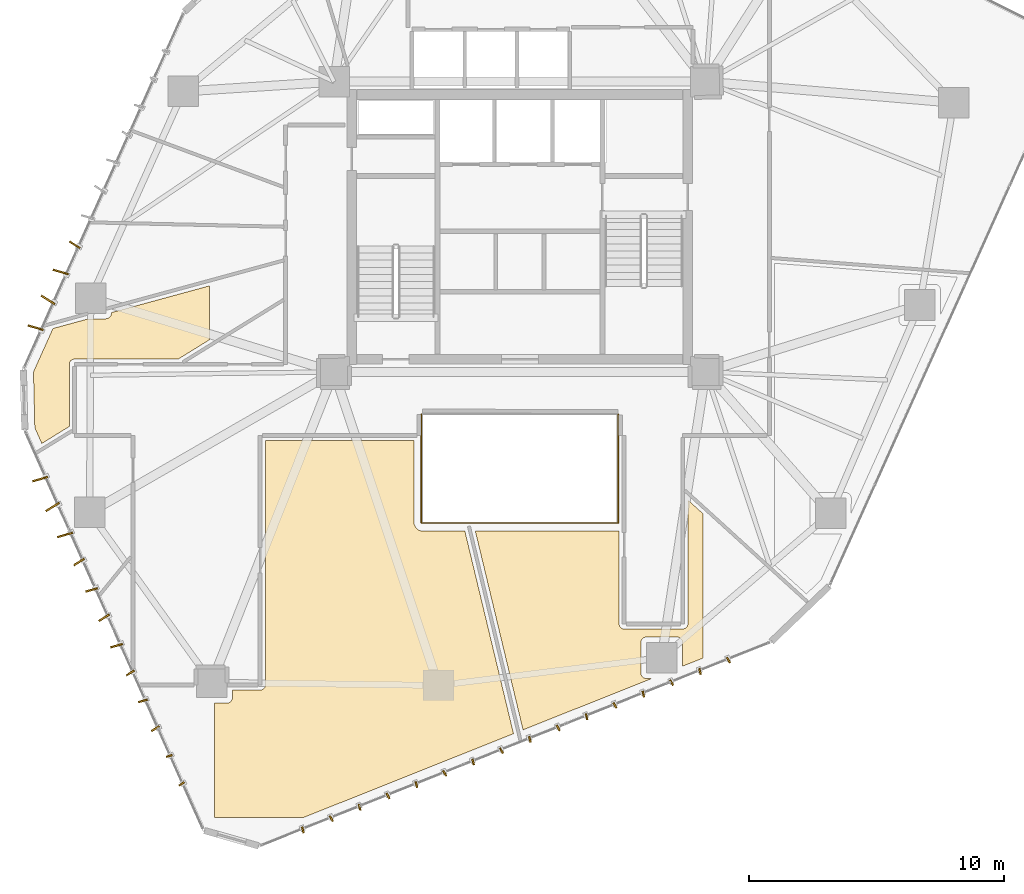
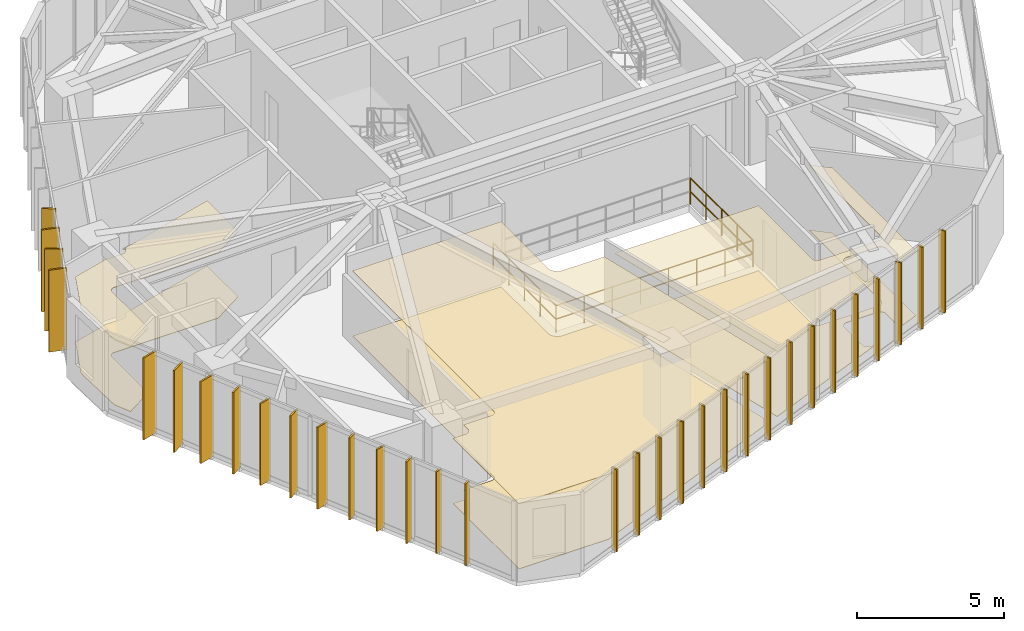
# One storey, part 20 of 22: 32 shading devices, 6 coverings, 3 railings.
"""IFC4 building model written with IfcOpenShell, lengths in metres."""

from ifc_helpers import new_model, si_unit, direction, frame, origin, origin_2d, place, context, subcontext, project, spatial, polyline, rectangle, circle, outline, extrude, source, transform, mapped, material, layer, layer_set, type_object, type_shapes, element, save


model = new_model("IFC4")

# Units and contexts
model_context = context("Model", 3, precision=1e-05, world=origin(), true_north=direction((0.0, 1.0)))
body_context = subcontext(model_context, "Body", "Model", "MODEL_VIEW")
ifc_project = project(units=[si_unit("LENGTHUNIT", "METRE"), si_unit("AREAUNIT", "SQUARE_METRE"), si_unit("VOLUMEUNIT", "CUBIC_METRE"), si_unit("PLANEANGLEUNIT", "RADIAN"), si_unit("MASSUNIT", "GRAM", prefix="KILO")], contexts=[model_context])

# Site, building, storey
site_placement = place(None, origin())
site = spatial("IfcSite", under=ifc_project, at=site_placement, CompositionType="ELEMENT")
building_placement = place(site_placement, origin())
building = spatial("IfcBuilding", under=site, at=building_placement, Name="Talar Marvaseh", CompositionType="ELEMENT")
storey_placement = place(building_placement, frame((0.0, 0.0, 154.199951171875)))
storey = spatial("IfcBuildingStorey", under=building, at=storey_placement, Name="L40", CompositionType="ELEMENT", Elevation=154.199951171875)

# Railings
ifc_material_1 = material(Name="Tempered Clear Glass", Category="glass")
railing_type = type_object("IfcRailingType", Name="Interior Atrium Edge Balustrade 1120", PredefinedType="BALUSTRADE", material=ifc_material_1)
railing_1_placement = place(storey_placement, frame((22.1298828125, 19.561279296875, 0.0)))
element("IfcRailing", 1, at=railing_1_placement, inside=storey, type_object=railing_type, Name="L40 Internal Daylight Atrium Balustrade 1", PredefinedType="BALUSTRADE", context=body_context, shape_type="SweptSolid", body=[
    extrude(circle(Radius=0.02392578125, at=origin_2d()), frame((0.0, 0.0, 1.09619140625), z_axis=(1.0, 0.0, 0.0), x_axis=(0.0, 1.0, 0.0)), (0.0, 0.0, 1.0), 7.740234375),
    extrude(circle(Radius=0.02392578125, at=origin_2d()), frame((0.0, 0.0, 0.5361328125), z_axis=(1.0, 0.0, 0.0), x_axis=(0.0, 1.0, 0.0)), (0.0, 0.0, 1.0), 7.740234375),
    extrude(circle(Radius=0.02099609375, at=origin_2d()), origin(), (0.0, 0.0, 1.0), 1.072021484375),
    extrude(circle(Radius=0.02099609375, at=origin_2d()), frame((1.105712890625, 0.0, 0.0)), (0.0, 0.0, 1.0), 1.072021484375),
    extrude(circle(Radius=0.02099609375, at=origin_2d()), frame((2.21142578125, 0.0, 0.0)), (0.0, 0.0, 1.0), 1.072021484375),
    extrude(circle(Radius=0.02099609375, at=origin_2d()), frame((3.317138671875, 0.0, 0.0)), (0.0, 0.0, 1.0), 1.072021484375),
    extrude(circle(Radius=0.02099609375, at=origin_2d()), frame((4.423095703125, 0.0, 0.0)), (0.0, 0.0, 1.0), 1.072021484375),
    extrude(circle(Radius=0.02099609375, at=origin_2d()), frame((5.52880859375, 0.0, 0.0)), (0.0, 0.0, 1.0), 1.072021484375),
    extrude(circle(Radius=0.02099609375, at=origin_2d()), frame((6.634521484375, 0.0, 0.0)), (0.0, 0.0, 1.0), 1.072021484375),
    extrude(circle(Radius=0.02099609375, at=origin_2d()), frame((7.740234375, 0.0, 0.0)), (0.0, 0.0, 1.0), 1.072021484375),
])
railing_2_placement = place(storey_placement, frame((29.8701171875, 19.561279296875, 0.0)))
element("IfcRailing", 2, at=railing_2_placement, inside=storey, type_object=railing_type, Name="L40 Internal Daylight Atrium Balustrade 2", PredefinedType="BALUSTRADE", context=body_context, shape_type="SweptSolid", body=[
    extrude(circle(Radius=0.02392578125, at=origin_2d()), frame((0.0, 0.0, 1.09619140625), z_axis=(0.0, 1.0, 0.0), x_axis=(-1.0, 0.0, 0.0)), (0.0, 0.0, 1.0), 4.27734375),
    extrude(circle(Radius=0.02392578125, at=origin_2d()), frame((0.0, 0.0, 0.5361328125), z_axis=(0.0, 1.0, 0.0), x_axis=(-1.0, 0.0, 0.0)), (0.0, 0.0, 1.0), 4.27734375),
    extrude(circle(Radius=0.02099609375, at=origin_2d()), origin(), (0.0, 0.0, 1.0), 1.072021484375),
    extrude(circle(Radius=0.02099609375, at=origin_2d()), frame((0.0, 1.0693359375, 0.0)), (0.0, 0.0, 1.0), 1.072021484375),
    extrude(circle(Radius=0.02099609375, at=origin_2d()), frame((0.0, 2.138671875, 0.0)), (0.0, 0.0, 1.0), 1.072021484375),
    extrude(circle(Radius=0.02099609375, at=origin_2d()), frame((0.0, 3.2080078125, 0.0)), (0.0, 0.0, 1.0), 1.072021484375),
    extrude(circle(Radius=0.02099609375, at=origin_2d()), frame((0.0, 4.27734375, 0.0)), (0.0, 0.0, 1.0), 1.072021484375),
])
railing_3_placement = place(storey_placement, frame((22.1298828125, 23.838623046875, 0.0)))
element("IfcRailing", 3, at=railing_3_placement, inside=storey, type_object=railing_type, Name="L40 Internal Daylight Atrium Balustrade 4", PredefinedType="BALUSTRADE", context=body_context, shape_type="SweptSolid", body=[
    extrude(circle(Radius=0.02392578125, at=origin_2d()), frame((0.0, 0.0, 1.09619140625), z_axis=(0.0, -1.0, 0.0), x_axis=(1.0, 0.0, 0.0)), (0.0, 0.0, 1.0), 4.27734375),
    extrude(circle(Radius=0.02392578125, at=origin_2d()), frame((0.0, 0.0, 0.5361328125), z_axis=(0.0, -1.0, 0.0), x_axis=(1.0, 0.0, 0.0)), (0.0, 0.0, 1.0), 4.27734375),
    extrude(circle(Radius=0.02099609375, at=origin_2d()), origin(), (0.0, 0.0, 1.0), 1.072021484375),
    extrude(circle(Radius=0.02099609375, at=origin_2d()), frame((0.0, -1.0693359375, 0.0)), (0.0, 0.0, 1.0), 1.072021484375),
    extrude(circle(Radius=0.02099609375, at=origin_2d()), frame((0.0, -2.138671875, 0.0)), (0.0, 0.0, 1.0), 1.072021484375),
    extrude(circle(Radius=0.02099609375, at=origin_2d()), frame((0.0, -3.2080078125, 0.0)), (0.0, 0.0, 1.0), 1.072021484375),
    extrude(circle(Radius=0.02099609375, at=origin_2d()), frame((0.0, -4.27734375, 0.0)), (0.0, 0.0, 1.0), 1.072021484375),
])

# Coverings
ifc_material_2 = material(Name="Mineral Fibre Acoustic Ceiling")
ifc_layer_1 = layer(ifc_material_2, 0.02490234375)
ifc_layer_set_1 = layer_set([ifc_layer_1], Name="Mineral Fibre Acoustic Ceiling")
covering_type_1 = type_object("IfcCoveringType", Name="Perforated Mineral Fibre Acoustic Suspended Ceiling", PredefinedType="CEILING", material=ifc_layer_set_1)
covering_1_placement = place(storey_placement, frame((0.0, 0.0, 2.699951171875)))
element("IfcCovering", 4, at=covering_1_placement, inside=storey, type_object=covering_type_1, Name="L40 Curatorial Office Acoustic Ceiling", PredefinedType="CEILING", context=body_context, shape_type="SweptSolid", body=[
    extrude(outline(polyline([(9.058837890625, 27.5869140625), (9.74267578125, 27.587646484375), (9.76220703125, 27.588623046875), (9.78173828125, 27.591552734375), (9.80078125, 27.59619140625), (9.8193359375, 27.60302734375), (9.837158203125, 27.611572265625), (9.85400390625, 27.62158203125), (9.869873046875, 27.63330078125), (9.88427734375, 27.646728515625), (9.8974609375, 27.661376953125), (9.907958984375, 27.67431640625), (9.919677734375, 27.68994140625), (9.929443359375, 27.706787109375), (9.937744140625, 27.724365234375), (9.9443359375, 27.74267578125), (9.94921875, 27.76171875), (9.951904296875, 27.781005859375), (9.952880859375, 27.80029296875), (9.952880859375, 27.83056640625), (13.800048828125, 28.8779296875), (13.800048828125, 26.7578125), (12.574951171875, 26.0), (8.5, 26.0), (8.48046875, 25.9990234375), (8.4609375, 25.99609375), (8.44189453125, 25.991455078125), (8.423583984375, 25.98486328125), (8.40576171875, 25.976318359375), (8.388916015625, 25.96630859375), (8.373046875, 25.95458984375), (8.358642578125, 25.94140625), (8.345458984375, 25.927001953125), (8.333740234375, 25.9111328125), (8.323486328125, 25.894287109375), (8.315185546875, 25.87646484375), (8.30859375, 25.858154296875), (8.3037109375, 25.839111328125), (8.301025390625, 25.819580078125), (8.300048828125, 25.800048828125), (8.300048828125, 23.355712890625), (7.220703125, 22.68798828125), (6.944580078125, 23.305419921875), (6.891845703125, 25.500244140625), (7.65771484375, 27.20556640625), (9.058837890625, 27.5869140625)])), origin(), (0.0, 0.0, 1.0), 0.025146484375),
])
covering_2_placement = place(storey_placement, frame((0.0, 0.0, 2.699951171875)))
element("IfcCovering", 5, at=covering_2_placement, inside=storey, type_object=covering_type_1, Name="L40 Archival Research Office Acoustic Ceiling", PredefinedType="CEILING", context=body_context, shape_type="SweptSolid", body=[
    extrude(outline(polyline([(14.5166015625, 12.486083984375), (14.535888671875, 12.489013671875), (14.5546875, 12.49365234375), (14.5732421875, 12.500244140625), (14.591064453125, 12.5087890625), (14.60791015625, 12.518798828125), (14.62353515625, 12.530517578125), (14.63818359375, 12.543701171875), (14.651123046875, 12.55810546875), (14.662841796875, 12.573974609375), (14.672119140625, 12.587890625), (14.682373046875, 12.6044921875), (14.690673828125, 12.622314453125), (14.697509765625, 12.640869140625), (14.7021484375, 12.659912109375), (14.705078125, 12.679443359375), (14.7060546875, 12.698974609375), (14.7060546875, 13.0), (15.800048828125, 13.0), (15.819580078125, 13.0009765625), (15.839111328125, 13.00390625), (15.858154296875, 13.008544921875), (15.87646484375, 13.01513671875), (15.894287109375, 13.023681640625), (15.9111328125, 13.03369140625), (15.927001953125, 13.04541015625), (15.94140625, 13.05859375), (15.95458984375, 13.072998046875), (15.96630859375, 13.0888671875), (15.976318359375, 13.105712890625), (15.98486328125, 13.12353515625), (15.991455078125, 13.141845703125), (15.99609375, 13.160888671875), (15.9990234375, 13.180419921875), (16.0, 13.199951171875), (16.0, 22.800048828125), (21.840087890625, 22.800048828125), (21.840087890625, 19.60009765625), (21.840576171875, 19.585205078125), (21.84228515625, 19.570556640625), (21.84912109375, 19.524169921875), (21.852783203125, 19.5048828125), (21.858642578125, 19.486083984375), (21.8662109375, 19.468017578125), (21.88623046875, 19.425537109375), (21.8955078125, 19.408203125), (21.90625, 19.39208984375), (21.918701171875, 19.376953125), (21.9501953125, 19.342041015625), (21.964111328125, 19.328125), (21.9794921875, 19.315673828125), (21.995849609375, 19.3046875), (22.0361328125, 19.280517578125), (22.053466796875, 19.271240234375), (22.071533203125, 19.263916015625), (22.090087890625, 19.25830078125), (22.1357421875, 19.246826171875), (22.159912109375, 19.2421875), (22.18408203125, 19.24072265625), (23.841552734375, 19.239990234375), (25.751220703125, 11.285888671875), (17.518798828125, 8.0), (14.0, 8.0), (14.0, 12.484619140625), (14.496826171875, 12.485107421875), (14.5166015625, 12.486083984375)])), origin(), (0.0, 0.0, 1.0), 0.025146484375),
])
covering_3_placement = place(storey_placement, frame((0.0, 0.0, 2.699951171875)))
element("IfcCovering", 6, at=covering_3_placement, inside=storey, type_object=covering_type_1, Name="L40 Scholars' Servery Pantry Acoustic Ceiling", PredefinedType="CEILING", context=body_context, shape_type="SweptSolid", body=[
    extrude(outline(polyline([(29.800048828125, 19.239990234375), (29.81640625, 19.24072265625), (29.83251953125, 19.24267578125), (29.8486328125, 19.24609375), (29.89990234375, 19.2587890625), (29.89990234375, 15.60009765625), (29.90087890625, 15.580322265625), (29.90380859375, 15.56103515625), (29.90869140625, 15.5419921875), (29.915283203125, 15.5234375), (29.923583984375, 15.505615234375), (29.93359375, 15.489013671875), (29.9453125, 15.47314453125), (29.95849609375, 15.45849609375), (29.97314453125, 15.4453125), (29.989013671875, 15.43359375), (30.005615234375, 15.423583984375), (30.0234375, 15.415283203125), (30.0419921875, 15.40869140625), (30.06103515625, 15.40380859375), (30.080322265625, 15.40087890625), (30.10009765625, 15.39990234375), (32.39990234375, 15.39990234375), (32.419677734375, 15.40087890625), (32.43896484375, 15.40380859375), (32.4580078125, 15.40869140625), (32.4765625, 15.415283203125), (32.494384765625, 15.423583984375), (32.510986328125, 15.43359375), (32.52685546875, 15.4453125), (32.54150390625, 15.45849609375), (32.5546875, 15.47314453125), (32.56640625, 15.489013671875), (32.576416015625, 15.505615234375), (32.584716796875, 15.5234375), (32.59130859375, 15.5419921875), (32.59619140625, 15.56103515625), (32.59912109375, 15.580322265625), (32.60009765625, 15.60009765625), (32.60009765625, 20.46923828125), (33.199951171875, 19.923828125), (33.199951171875, 14.259033203125), (32.381591796875, 13.932373046875), (32.385009765625, 14.868896484375), (32.384033203125, 14.887451171875), (32.381591796875, 14.90576171875), (32.377197265625, 14.924072265625), (32.371337890625, 14.941650390625), (32.364013671875, 14.958740234375), (32.35498046875, 14.974853515625), (32.34423828125, 14.990234375), (32.33251953125, 15.004638671875), (32.319091796875, 15.017578125), (32.30419921875, 15.03125), (32.2900390625, 15.04296875), (32.274658203125, 15.053466796875), (32.258544921875, 15.062255859375), (32.24169921875, 15.069580078125), (32.22412109375, 15.07568359375), (32.2060546875, 15.07958984375), (32.187744140625, 15.082275390625), (32.169189453125, 15.0830078125), (30.958740234375, 15.07861328125), (30.939208984375, 15.07763671875), (30.919921875, 15.07470703125), (30.90087890625, 15.06982421875), (30.88232421875, 15.063232421875), (30.86474609375, 15.0546875), (30.847900390625, 15.044677734375), (30.832275390625, 15.032958984375), (30.817626953125, 15.019775390625), (30.8046875, 15.005126953125), (30.79296875, 14.989501953125), (30.782958984375, 14.97265625), (30.774658203125, 14.955078125), (30.76806640625, 14.9365234375), (30.76318359375, 14.91748046875), (30.760498046875, 14.898193359375), (30.759521484375, 14.878662109375), (30.759521484375, 13.657470703125), (30.760498046875, 13.6376953125), (30.76318359375, 13.618408203125), (30.76806640625, 13.599365234375), (30.774658203125, 13.580810546875), (30.782958984375, 13.56298828125), (30.793212890625, 13.54638671875), (30.8046875, 13.530517578125), (30.818115234375, 13.51611328125), (30.83251953125, 13.502685546875), (30.848388671875, 13.4912109375), (30.864990234375, 13.48095703125), (30.8828125, 13.47265625), (30.9013671875, 13.466064453125), (30.92041015625, 13.461181640625), (30.939697265625, 13.45849609375), (30.95947265625, 13.45751953125), (31.191650390625, 13.45751953125), (26.12646484375, 11.435791015625), (24.2529296875, 19.239990234375), (29.800048828125, 19.239990234375)])), origin(), (0.0, 0.0, 1.0), 0.025146484375),
])
ifc_material_3 = material(Name="Porcelain Stoneware Tile", Category="masonry")
ifc_layer_2 = layer(ifc_material_3, 0.02001953125)
ifc_layer_set_2 = layer_set([ifc_layer_2], Name="Porcelain Stoneware Tile")
covering_type_2 = type_object("IfcCoveringType", Name="Polished Porcelain Stoneware Gallery Flooring", PredefinedType="FLOORING", material=ifc_layer_set_2)
covering_4_placement = place(storey_placement, origin())
element("IfcCovering", 7, at=covering_4_placement, inside=storey, type_object=covering_type_2, Name="L40 Curatorial Office Flooring", PredefinedType="FLOORING", context=body_context, shape_type="SweptSolid", body=[
    extrude(outline(polyline([(9.058837890625, 27.5869140625), (9.74267578125, 27.587646484375), (9.76220703125, 27.588623046875), (9.78173828125, 27.591552734375), (9.80078125, 27.59619140625), (9.8193359375, 27.60302734375), (9.837158203125, 27.611572265625), (9.85400390625, 27.62158203125), (9.869873046875, 27.63330078125), (9.88427734375, 27.646728515625), (9.8974609375, 27.661376953125), (9.907958984375, 27.67431640625), (9.919677734375, 27.68994140625), (9.929443359375, 27.706787109375), (9.937744140625, 27.724365234375), (9.9443359375, 27.74267578125), (9.94921875, 27.76171875), (9.951904296875, 27.781005859375), (9.952880859375, 27.80029296875), (9.952880859375, 27.83056640625), (13.800048828125, 28.8779296875), (13.800048828125, 26.7578125), (12.574951171875, 26.0), (8.5, 26.0), (8.48046875, 25.9990234375), (8.4609375, 25.99609375), (8.44189453125, 25.991455078125), (8.423583984375, 25.98486328125), (8.40576171875, 25.976318359375), (8.388916015625, 25.96630859375), (8.373046875, 25.95458984375), (8.358642578125, 25.94140625), (8.345458984375, 25.927001953125), (8.333740234375, 25.9111328125), (8.323486328125, 25.894287109375), (8.315185546875, 25.87646484375), (8.30859375, 25.858154296875), (8.3037109375, 25.839111328125), (8.301025390625, 25.819580078125), (8.300048828125, 25.800048828125), (8.300048828125, 23.355712890625), (7.220703125, 22.68798828125), (6.944580078125, 23.305419921875), (6.891845703125, 25.500244140625), (7.65771484375, 27.20556640625), (9.058837890625, 27.5869140625)])), origin(), (0.0, 0.0, 1.0), 0.02001953125),
])
covering_5_placement = place(storey_placement, origin())
element("IfcCovering", 8, at=covering_5_placement, inside=storey, type_object=covering_type_2, Name="L40 Archival Research Office Flooring", PredefinedType="FLOORING", context=body_context, shape_type="SweptSolid", body=[
    extrude(outline(polyline([(14.5166015625, 12.486083984375), (14.535888671875, 12.489013671875), (14.5546875, 12.49365234375), (14.5732421875, 12.500244140625), (14.591064453125, 12.5087890625), (14.60791015625, 12.518798828125), (14.62353515625, 12.530517578125), (14.63818359375, 12.543701171875), (14.651123046875, 12.55810546875), (14.662841796875, 12.573974609375), (14.672119140625, 12.587890625), (14.682373046875, 12.6044921875), (14.690673828125, 12.622314453125), (14.697509765625, 12.640869140625), (14.7021484375, 12.659912109375), (14.705078125, 12.679443359375), (14.7060546875, 12.698974609375), (14.7060546875, 13.0), (15.800048828125, 13.0), (15.819580078125, 13.0009765625), (15.839111328125, 13.00390625), (15.858154296875, 13.008544921875), (15.87646484375, 13.01513671875), (15.894287109375, 13.023681640625), (15.9111328125, 13.03369140625), (15.927001953125, 13.04541015625), (15.94140625, 13.05859375), (15.95458984375, 13.072998046875), (15.96630859375, 13.0888671875), (15.976318359375, 13.105712890625), (15.98486328125, 13.12353515625), (15.991455078125, 13.141845703125), (15.99609375, 13.160888671875), (15.9990234375, 13.180419921875), (16.0, 13.199951171875), (16.0, 22.800048828125), (21.840087890625, 22.800048828125), (21.840087890625, 19.60009765625), (21.840576171875, 19.585205078125), (21.84228515625, 19.570556640625), (21.84912109375, 19.524169921875), (21.852783203125, 19.5048828125), (21.858642578125, 19.486083984375), (21.8662109375, 19.468017578125), (21.88623046875, 19.425537109375), (21.8955078125, 19.408203125), (21.90625, 19.39208984375), (21.918701171875, 19.376953125), (21.9501953125, 19.342041015625), (21.964111328125, 19.328125), (21.9794921875, 19.315673828125), (21.995849609375, 19.3046875), (22.0361328125, 19.280517578125), (22.053466796875, 19.271240234375), (22.071533203125, 19.263916015625), (22.090087890625, 19.25830078125), (22.1357421875, 19.246826171875), (22.159912109375, 19.2421875), (22.18408203125, 19.24072265625), (23.841552734375, 19.239990234375), (25.751220703125, 11.285888671875), (17.518798828125, 8.0), (14.0, 8.0), (14.0, 12.484619140625), (14.496826171875, 12.485107421875), (14.5166015625, 12.486083984375)])), origin(), (0.0, 0.0, 1.0), 0.02001953125),
])
covering_6_placement = place(storey_placement, origin())
element("IfcCovering", 9, at=covering_6_placement, inside=storey, type_object=covering_type_2, Name="L40 Scholars' Servery Pantry Flooring", PredefinedType="FLOORING", context=body_context, shape_type="SweptSolid", body=[
    extrude(outline(polyline([(29.800048828125, 19.239990234375), (29.81640625, 19.24072265625), (29.83251953125, 19.24267578125), (29.8486328125, 19.24609375), (29.89990234375, 19.2587890625), (29.89990234375, 15.60009765625), (29.90087890625, 15.580322265625), (29.90380859375, 15.56103515625), (29.90869140625, 15.5419921875), (29.915283203125, 15.5234375), (29.923583984375, 15.505615234375), (29.93359375, 15.489013671875), (29.9453125, 15.47314453125), (29.95849609375, 15.45849609375), (29.97314453125, 15.4453125), (29.989013671875, 15.43359375), (30.005615234375, 15.423583984375), (30.0234375, 15.415283203125), (30.0419921875, 15.40869140625), (30.06103515625, 15.40380859375), (30.080322265625, 15.40087890625), (30.10009765625, 15.39990234375), (32.39990234375, 15.39990234375), (32.419677734375, 15.40087890625), (32.43896484375, 15.40380859375), (32.4580078125, 15.40869140625), (32.4765625, 15.415283203125), (32.494384765625, 15.423583984375), (32.510986328125, 15.43359375), (32.52685546875, 15.4453125), (32.54150390625, 15.45849609375), (32.5546875, 15.47314453125), (32.56640625, 15.489013671875), (32.576416015625, 15.505615234375), (32.584716796875, 15.5234375), (32.59130859375, 15.5419921875), (32.59619140625, 15.56103515625), (32.59912109375, 15.580322265625), (32.60009765625, 15.60009765625), (32.60009765625, 20.46923828125), (33.199951171875, 19.923828125), (33.199951171875, 14.259033203125), (32.381591796875, 13.932373046875), (32.385009765625, 14.868896484375), (32.384033203125, 14.887451171875), (32.381591796875, 14.90576171875), (32.377197265625, 14.924072265625), (32.371337890625, 14.941650390625), (32.364013671875, 14.958740234375), (32.35498046875, 14.974853515625), (32.34423828125, 14.990234375), (32.33251953125, 15.004638671875), (32.319091796875, 15.017578125), (32.30419921875, 15.03125), (32.2900390625, 15.04296875), (32.274658203125, 15.053466796875), (32.258544921875, 15.062255859375), (32.24169921875, 15.069580078125), (32.22412109375, 15.07568359375), (32.2060546875, 15.07958984375), (32.187744140625, 15.082275390625), (32.169189453125, 15.0830078125), (30.958740234375, 15.07861328125), (30.939208984375, 15.07763671875), (30.919921875, 15.07470703125), (30.90087890625, 15.06982421875), (30.88232421875, 15.063232421875), (30.86474609375, 15.0546875), (30.847900390625, 15.044677734375), (30.832275390625, 15.032958984375), (30.817626953125, 15.019775390625), (30.8046875, 15.005126953125), (30.79296875, 14.989501953125), (30.782958984375, 14.97265625), (30.774658203125, 14.955078125), (30.76806640625, 14.9365234375), (30.76318359375, 14.91748046875), (30.760498046875, 14.898193359375), (30.759521484375, 14.878662109375), (30.759521484375, 13.657470703125), (30.760498046875, 13.6376953125), (30.76318359375, 13.618408203125), (30.76806640625, 13.599365234375), (30.774658203125, 13.580810546875), (30.782958984375, 13.56298828125), (30.793212890625, 13.54638671875), (30.8046875, 13.530517578125), (30.818115234375, 13.51611328125), (30.83251953125, 13.502685546875), (30.848388671875, 13.4912109375), (30.864990234375, 13.48095703125), (30.8828125, 13.47265625), (30.9013671875, 13.466064453125), (30.92041015625, 13.461181640625), (30.939697265625, 13.45849609375), (30.95947265625, 13.45751953125), (31.191650390625, 13.45751953125), (26.12646484375, 11.435791015625), (24.2529296875, 19.239990234375), (29.800048828125, 19.239990234375)])), origin(), (0.0, 0.0, 1.0), 0.02001953125),
])

# Shading devices
ifc_material_4 = material(Name="Anodised Champagne Bronze Aluminium", Category="aluminium")
ifc_layer_3 = layer(ifc_material_4, 0.06494140625)
ifc_layer_set_3 = layer_set([ifc_layer_3], Name="Anodised Champagne Bronze Aluminium")
shading_device_type_1 = type_object("IfcShadingDeviceType", Name="Sawtooth Champagne Bronze Vertical Fin 240", PredefinedType="USERDEFINED", material=ifc_layer_set_3)
shared_shape_1 = source(origin(), body_context, "Body", "SweptSolid", [
    extrude(rectangle(XDim=0.239990234375, YDim=0.06494140625, at=origin_2d()), origin(), (0.0, 0.0, 1.0), 3.39990234375),
])
type_shapes(shading_device_type_1, [shared_shape_1])
for number, where, z_axis, x_axis, name in (
    (10, (12.71435546875, 9.314453125, -0.119873046875), (0.0, 0.0, 1.0), (-0.847121921382, -0.531398579518, 0.0), "L40 Sawtooth Vertical Solar Fin"),
    (11, (12.224609375, 10.409912109375, -0.119873046875), (0.0, 0.0, 1.0), (-0.960779154158, -0.277314653302, 0.0), "L40 Sawtooth Vertical Solar Fin"),
    (12, (34.194091796875, 14.1767578125, -0.119873046875), (0.0, 0.0, 1.0), (0.496368025395, -0.868112195148, 0.0), "L40 Sawtooth Vertical Solar Fin"),
    (13, (33.07958984375, 13.731689453125, -0.119873046875), (0.0, 0.0, 1.0), (0.237855419878, -0.971300571005, 0.0), "L40 Sawtooth Vertical Solar Fin"),
    (14, (31.965087890625, 13.287109375, -0.119873046875), (0.0, 0.0, 1.0), (0.496368025395, -0.868112195148, 0.0), "L40 Sawtooth Vertical Solar Fin"),
    (15, (30.8505859375, 12.842041015625, -0.119873046875), (0.0, 0.0, 1.0), (0.237855419878, -0.971300571005, 0.0), "L40 Sawtooth Vertical Solar Fin"),
    (16, (29.736083984375, 12.397216796875, -0.119873046875), (0.0, 0.0, 1.0), (0.496368025395, -0.868112195148, 0.0), "L40 Sawtooth Vertical Solar Fin"),
    (17, (28.62158203125, 11.952392578125, -0.119873046875), (0.0, 0.0, 1.0), (0.237855419878, -0.971300571005, 0.0), "L40 Sawtooth Vertical Solar Fin"),
    (18, (27.507080078125, 11.507568359375, -0.119873046875), (0.0, 0.0, 1.0), (0.496368025395, -0.868112195148, 0.0), "L40 Sawtooth Vertical Solar Fin"),
    (19, (26.392578125, 11.062744140625, -0.119873046875), (0.0, 0.0, 1.0), (0.237855419878, -0.971300571005, 0.0), "L40 Sawtooth Vertical Solar Fin"),
    (20, (25.278076171875, 10.617919921875, -0.119873046875), (0.0, 0.0, 1.0), (0.496368025395, -0.868112195148, 0.0), "L40 Sawtooth Vertical Solar Fin"),
    (21, (24.16357421875, 10.173095703125, -0.119873046875), (0.0, 0.0, 1.0), (0.237855419878, -0.971300571005, 0.0), "L40 Sawtooth Vertical Solar Fin"),
    (22, (23.049072265625, 9.728271484375, -0.119873046875), (0.0, 0.0, 1.0), (0.496368025395, -0.868112195148, 0.0), "L40 Sawtooth Vertical Solar Fin"),
    (23, (21.9345703125, 9.283447265625, -0.119873046875), (0.0, 0.0, 1.0), (0.237855419878, -0.971300571005, 0.0), "L40 Sawtooth Vertical Solar Fin"),
    (24, (20.820068359375, 8.83837890625, -0.119873046875), (0.0, 0.0, 1.0), (0.496368025395, -0.868112195148, 0.0), "L40 Sawtooth Vertical Solar Fin"),
    (25, (19.70556640625, 8.393798828125, -0.119873046875), (0.0, 0.0, 1.0), (0.237855419878, -0.971300571005, 0.0), "L40 Sawtooth Vertical Solar Fin"),
    (26, (18.591064453125, 7.948974609375, -0.119873046875), (0.0, 0.0, 1.0), (0.496368025395, -0.868112195148, 0.0), "L40 Sawtooth Vertical Solar Fin"),
    (27, (17.4765625, 7.50390625, -0.119873046875), (0.0, 0.0, 1.0), (0.237855419878, -0.971300571005, 0.0), "L40 Sawtooth Vertical Solar Fin"),
):
    element("IfcShadingDevice", number, at=place(storey_placement, frame(where, z_axis=z_axis, x_axis=x_axis)), inside=storey, type_object=shading_device_type_1, Name=name, ObjectType="FIN", PredefinedType="USERDEFINED", context=body_context, shape_type="MappedRepresentation", body=[
        mapped(shared_shape_1, transform((0.0, 0.0, 0.0), x_axis=(1.0, 0.0, 0.0), y_axis=(0.0, 1.0, 0.0), z_axis=(0.0, 0.0, 1.0), scale=1.0)),
    ])
ifc_layer_4 = layer(ifc_material_4, 0.06494140625)
ifc_layer_set_4 = layer_set([ifc_layer_4], Name="Anodised Champagne Bronze Aluminium")
shading_device_type_2 = type_object("IfcShadingDeviceType", Name="Sawtooth Champagne Bronze Vertical Fin 360", PredefinedType="USERDEFINED", material=ifc_layer_set_4)
shared_shape_2 = source(origin(), body_context, "Body", "SweptSolid", [
    extrude(rectangle(XDim=0.360107421875, YDim=0.06494140625, at=origin_2d()), origin(), (0.0, 0.0, 1.0), 3.39990234375),
])
type_shapes(shading_device_type_2, [shared_shape_2])
for number, where, z_axis, x_axis, name in (
    (28, (11.6796875, 11.48095703125, -0.119873046875), (0.0, 0.0, 1.0), (-0.847121921382, -0.531398579518, 0.0), "L40 Sawtooth Vertical Solar Fin"),
    (29, (11.18994140625, 12.576416015625, -0.119873046875), (0.0, 0.0, 1.0), (-0.960779154158, -0.277314653302, 0.0), "L40 Sawtooth Vertical Solar Fin"),
    (30, (10.699951171875, 13.671630859375, -0.119873046875), (0.0, 0.0, 1.0), (-0.847121921382, -0.531398579518, 0.0), "L40 Sawtooth Vertical Solar Fin"),
):
    element("IfcShadingDevice", number, at=place(storey_placement, frame(where, z_axis=z_axis, x_axis=x_axis)), inside=storey, type_object=shading_device_type_2, Name=name, ObjectType="FIN", PredefinedType="USERDEFINED", context=body_context, shape_type="MappedRepresentation", body=[
        mapped(shared_shape_2, transform((0.0, 0.0, 0.0), x_axis=(1.0, 0.0, 0.0), y_axis=(0.0, 1.0, 0.0), z_axis=(0.0, 0.0, 1.0), scale=1.0)),
    ])
ifc_layer_5 = layer(ifc_material_4, 0.06494140625)
ifc_layer_set_5 = layer_set([ifc_layer_5], Name="Anodised Champagne Bronze Aluminium")
shading_device_type_3 = type_object("IfcShadingDeviceType", Name="Sawtooth Champagne Bronze Vertical Fin 480", PredefinedType="USERDEFINED", material=ifc_layer_set_5)
shared_shape_3 = source(origin(), body_context, "Body", "SweptSolid", [
    extrude(rectangle(XDim=0.47998046875, YDim=0.06494140625, at=origin_2d()), origin(), (0.0, 0.0, 1.0), 3.39990234375),
])
type_shapes(shading_device_type_3, [shared_shape_3])
for number, where, z_axis, x_axis, name in (
    (31, (10.1552734375, 14.74267578125, -0.119873046875), (0.0, 0.0, 1.0), (-0.960779154158, -0.277314653302, 0.0), "L40 Sawtooth Vertical Solar Fin"),
    (32, (9.665283203125, 15.838134765625, -0.119873046875), (0.0, 0.0, 1.0), (-0.847121921382, -0.531398579518, 0.0), "L40 Sawtooth Vertical Solar Fin"),
    (33, (9.17529296875, 16.93359375, -0.119873046875), (0.0, 0.0, 1.0), (-0.960779154158, -0.277314653302, 0.0), "L40 Sawtooth Vertical Solar Fin"),
    (34, (8.685546875, 18.029052734375, -0.119873046875), (0.0, 0.0, 1.0), (-0.847121921382, -0.531398579518, 0.0), "L40 Sawtooth Vertical Solar Fin"),
    (35, (8.513916015625, 30.49169921875, -0.119873046875), (0.0, 0.0, 1.0), (-0.846379123481, 0.532580866475, 0.0), "L40 Sawtooth Vertical Solar Fin"),
):
    element("IfcShadingDevice", number, at=place(storey_placement, frame(where, z_axis=z_axis, x_axis=x_axis)), inside=storey, type_object=shading_device_type_3, Name=name, ObjectType="FIN", PredefinedType="USERDEFINED", context=body_context, shape_type="MappedRepresentation", body=[
        mapped(shared_shape_3, transform((0.0, 0.0, 0.0), x_axis=(1.0, 0.0, 0.0), y_axis=(0.0, 1.0, 0.0), z_axis=(0.0, 0.0, 1.0), scale=1.0)),
    ])
ifc_layer_6 = layer(ifc_material_4, 0.06494140625)
ifc_layer_set_6 = layer_set([ifc_layer_6], Name="Anodised Champagne Bronze Aluminium")
shading_device_type_4 = type_object("IfcShadingDeviceType", Name="Sawtooth Champagne Bronze Vertical Fin 620", PredefinedType="USERDEFINED", material=ifc_layer_set_6)
shared_shape_4 = source(origin(), body_context, "Body", "SweptSolid", [
    extrude(rectangle(XDim=0.6201171875, YDim=0.06494140625, at=origin_2d()), origin(), (0.0, 0.0, 1.0), 3.39990234375),
])
type_shapes(shading_device_type_4, [shared_shape_4])
for number, where, z_axis, x_axis, name in (
    (36, (8.131591796875, 19.095703125, -0.119873046875), (0.0, 0.0, 1.0), (-0.960779154158, -0.277314653302, 0.0), "L40 Sawtooth Vertical Solar Fin"),
    (37, (7.6416015625, 20.19140625, -0.119873046875), (0.0, 0.0, 1.0), (-0.847121921382, -0.531398579518, 0.0), "L40 Sawtooth Vertical Solar Fin"),
    (38, (7.15185546875, 21.28662109375, -0.119873046875), (0.0, 0.0, 1.0), (-0.960779154158, -0.277314653302, 0.0), "L40 Sawtooth Vertical Solar Fin"),
    (39, (6.975341796875, 27.236328125, -0.119873046875), (0.0, 0.0, 1.0), (-0.960391013438, 0.278655883317, 0.0), "L40 Sawtooth Vertical Solar Fin"),
    (40, (7.466796875, 28.3310546875, -0.119873046875), (0.0, 0.0, 1.0), (-0.846379123481, 0.532580866475, 0.0), "L40 Sawtooth Vertical Solar Fin"),
    (41, (7.95849609375, 29.42578125, -0.119873046875), (0.0, 0.0, 1.0), (-0.960391013438, 0.278655883317, 0.0), "L40 Sawtooth Vertical Solar Fin"),
):
    element("IfcShadingDevice", number, at=place(storey_placement, frame(where, z_axis=z_axis, x_axis=x_axis)), inside=storey, type_object=shading_device_type_4, Name=name, ObjectType="FIN", PredefinedType="USERDEFINED", context=body_context, shape_type="MappedRepresentation", body=[
        mapped(shared_shape_4, transform((0.0, 0.0, 0.0), x_axis=(1.0, 0.0, 0.0), y_axis=(0.0, 1.0, 0.0), z_axis=(0.0, 0.0, 1.0), scale=1.0)),
    ])

save(model, "model.ifc")
